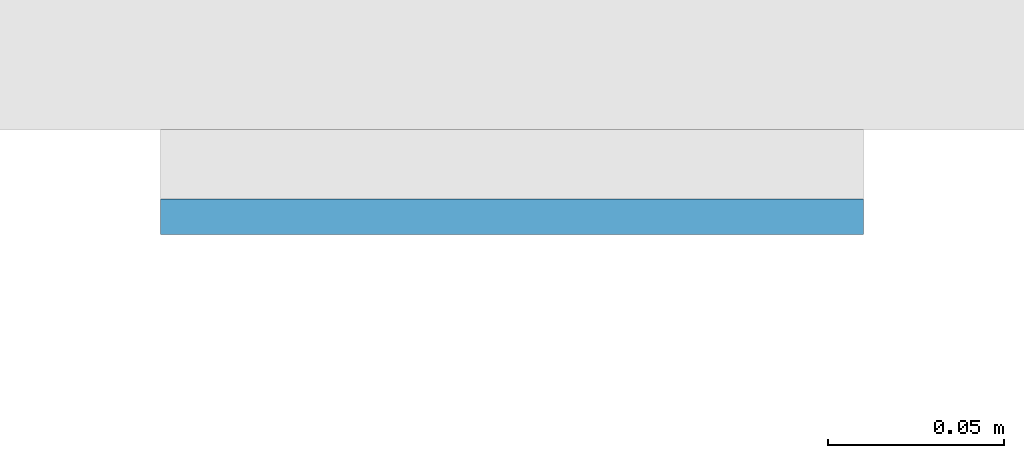
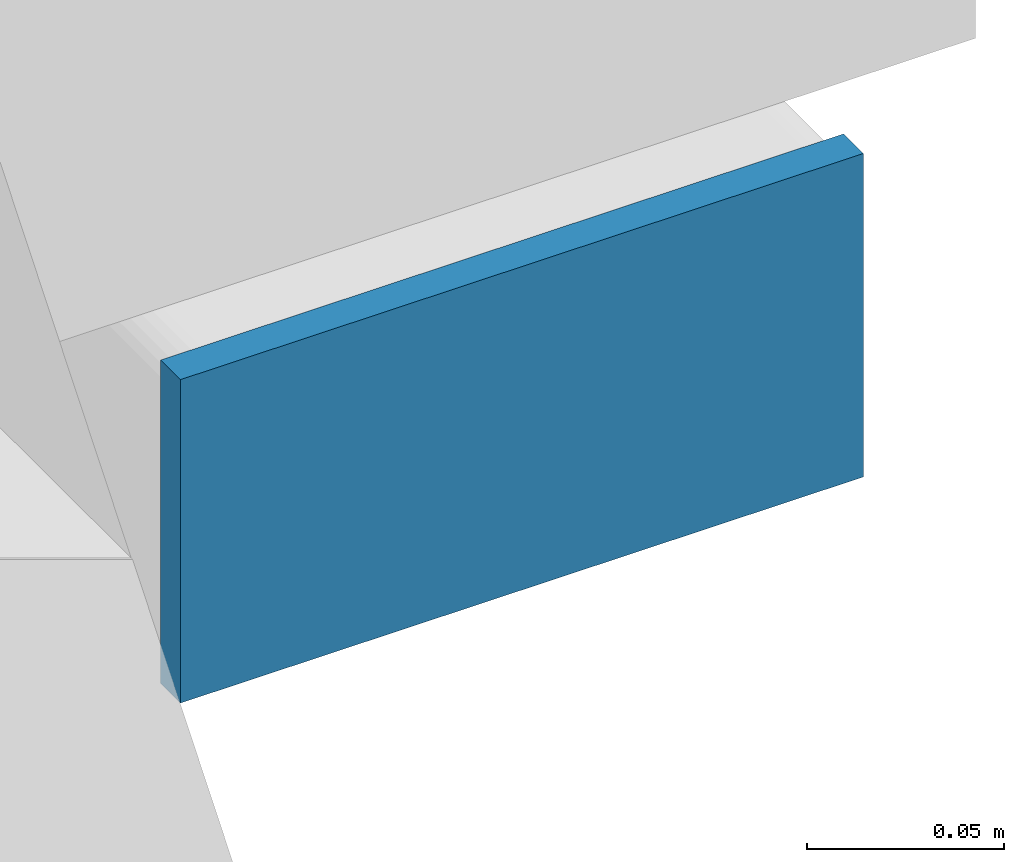
# One storey, part 10 of 20: 1 plate.
"""IFC4 building model written with IfcOpenShell, lengths in metres."""

from ifc_helpers import new_model, si_unit, direction, frame, origin, origin_2d, place, context, subcontext, project, spatial, rectangle, extrude, material, layer, layer_set, type_object, element, save


model = new_model("IFC4")

# Units and contexts
model_context = context("Model", 3, precision=1e-05, world=origin(), true_north=direction((0.0, 1.0)))
body_context = subcontext(model_context, "Body", "Model", "MODEL_VIEW")
ifc_project = project(units=[si_unit("LENGTHUNIT", "METRE"), si_unit("AREAUNIT", "SQUARE_METRE"), si_unit("VOLUMEUNIT", "CUBIC_METRE"), si_unit("PLANEANGLEUNIT", "RADIAN"), si_unit("MASSUNIT", "GRAM", prefix="KILO")], contexts=[model_context])

# Site, building, storey
site_placement = place(None, origin())
site = spatial("IfcSite", under=ifc_project, at=site_placement, CompositionType="ELEMENT")
building_placement = place(site_placement, origin())
building = spatial("IfcBuilding", under=site, at=building_placement, Name="Cleftline Residences", CompositionType="ELEMENT")
storey_placement = place(building_placement, frame((0.0, 0.0, 33.199951171875)))
storey = spatial("IfcBuildingStorey", under=building, at=storey_placement, Name="L07", CompositionType="ELEMENT", Elevation=33.199951171875)

# Plate
ifc_material = material(Name="Steel S355, hot-dip galvanised", Category="steel")
ifc_layer = layer(ifc_material, 0.010009765625)
ifc_layer_set = layer_set([ifc_layer], Name="BAGUETTE CARRIER END PLATE 200X100X10")
plate_type = type_object("IfcPlateType", Name="BAGUETTE CARRIER END PLATE 200X100X10", PredefinedType="USERDEFINED", material=ifc_layer_set)
plate_placement = place(storey_placement, frame((66.85009765625, 3.695068359375, -0.10009765625), z_axis=(0.0, 0.0, 1.0), x_axis=(1.0, 0.0, 0.0)))
element("IfcPlate", 1, at=plate_placement, inside=storey, type_object=plate_type, Name="Baguette carrier end plate", ObjectType="BAGUETTE CARRIER END PLATE", PredefinedType="USERDEFINED", context=body_context, shape_type="SweptSolid", body=[
    extrude(rectangle(XDim=0.199951171875, YDim=0.010009765625, at=origin_2d()), origin(), (0.0, 0.0, 1.0), 0.10009765625),
])

save(model, "model.ifc")
